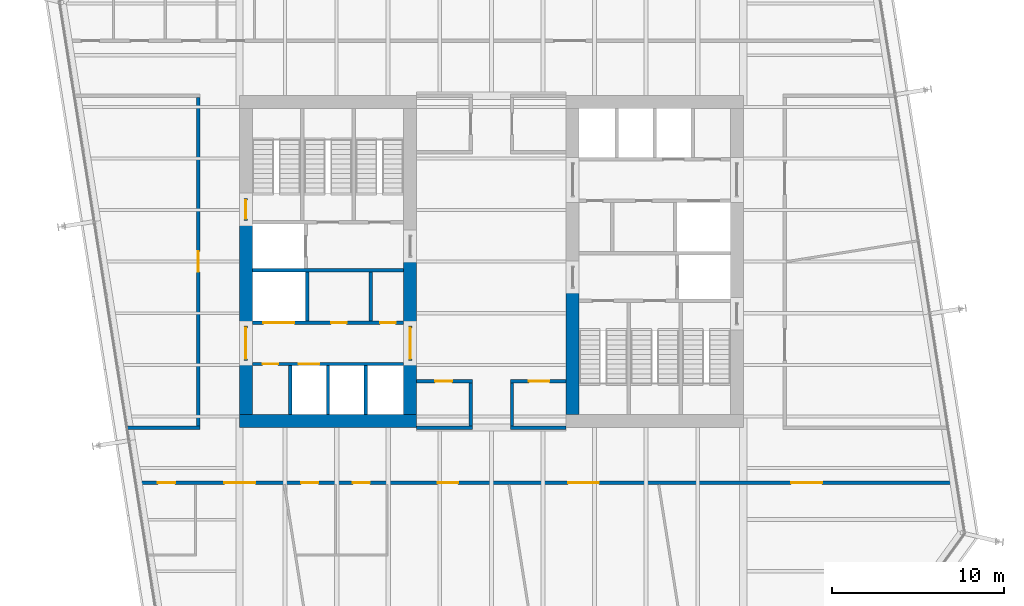
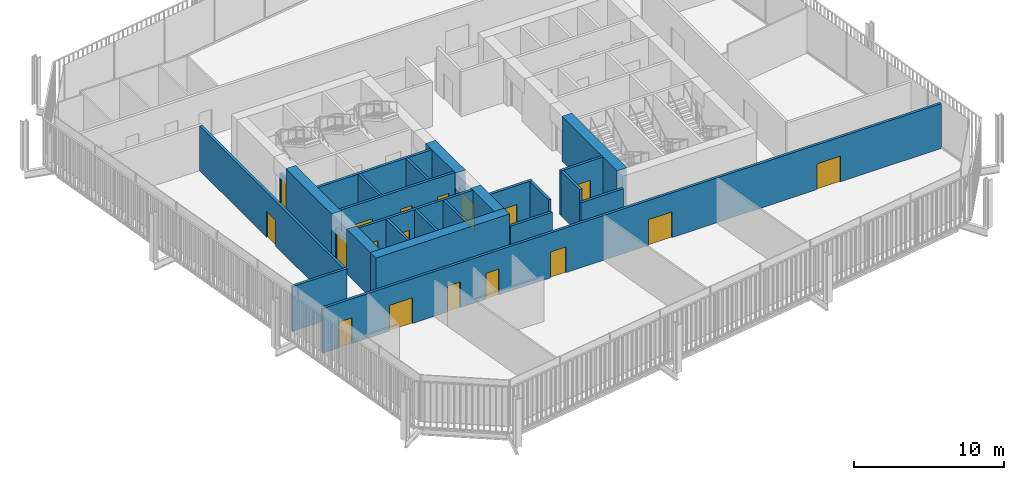
# One storey, part 17 of 21: 26 walls, 18 doors, 18 openings.
"""IFC4 building model written with IfcOpenShell, lengths in metres."""

import ifcopenshell
import ifcopenshell.guid

model = None  # the IFC model being written
_history = None  # IfcOwnerHistory: only IFC2X3 demands one
_inside = {}  # id of a spatial element -> (the spatial element, [elements in it])
_under = {}  # id of a project, library or spatial element -> (it, [spatial elements below it])
_declared = {}  # id of a project -> (the project, [libraries it declares])
_typed = {}  # id of a type object -> (the type object, [elements of that type])
_made_of = {}  # id of a material, layer set ... -> (it, [elements and type objects made of it])


def new_model(schema):
    """Start an empty IFC model of exactly this schema.

    Asked for "IFC4X3", IfcOpenShell would pick the latest addendum, in which some entities
    have other attributes; the version numbers below select the first issue.
    IFC2X3 requires an IfcOwnerHistory on every rooted entity: one is made here for all.
    """
    global model, _history
    if schema == "IFC4X3":
        model = ifcopenshell.file(schema_version=(4, 3, 0, 0))
    else:
        model = ifcopenshell.file(schema=schema)
    _inside.clear()
    _under.clear()
    _declared.clear()
    _typed.clear()
    _made_of.clear()
    _history = None
    if model.schema == "IFC2X3":
        org = make("IfcOrganization", Name="unknown")
        user = make(
            "IfcPersonAndOrganization",
            ThePerson=make("IfcPerson", FamilyName="unknown"),
            TheOrganization=org,
        )
        app = make(
            "IfcApplication",
            ApplicationDeveloper=org,
            Version="unknown",
            ApplicationFullName="unknown",
            ApplicationIdentifier="unknown",
        )
        _history = make(
            "IfcOwnerHistory",
            OwningUser=user,
            OwningApplication=app,
            ChangeAction="ADDED",
            CreationDate=0,
        )
    return model


def make(cls, **values):
    """One entity of the class cls with the attributes given. An attribute that is None is left unset."""
    return model.create_entity(
        cls, **{name: value for name, value in values.items() if value is not None}
    )


def rooted(cls, **values):
    """An entity with a GlobalId (a new one), such as an element, a storey or a relation."""
    return make(cls, GlobalId=ifcopenshell.guid.new(), OwnerHistory=_history, **values)


def si_unit(unit_type, name, prefix=None):
    """IfcSIUnit, for example si_unit("LENGTHUNIT", "METRE", prefix="MILLI")."""
    return make("IfcSIUnit", UnitType=unit_type, Prefix=prefix, Name=name)


def assignment(units):
    """IfcUnitAssignment: the units of a project."""
    return None if units is None else make("IfcUnitAssignment", Units=units)


def point(xyz):
    """IfcCartesianPoint."""
    return None if xyz is None else make("IfcCartesianPoint", Coordinates=xyz)


def direction(xyz):
    """IfcDirection."""
    return None if xyz is None else make("IfcDirection", DirectionRatios=xyz)


def frame(location, z_axis=None, x_axis=None):
    """IfcAxis2Placement3D, a coordinate frame: its origin and axes. An axis left out is left unset."""
    return make(
        "IfcAxis2Placement3D",
        Location=point(location),
        Axis=direction(z_axis),
        RefDirection=direction(x_axis),
    )


def frame_2d(location, x_axis=None):
    """IfcAxis2Placement2D, a coordinate frame in the plane: its origin and x axis."""
    return make(
        "IfcAxis2Placement2D", Location=point(location), RefDirection=direction(x_axis)
    )


def origin():
    """The frame at (0, 0, 0) with its axes left unset."""
    return frame((0.0, 0.0, 0.0))


def place(relative_to, where):
    """IfcLocalPlacement: puts the frame where relative to a parent placement (None: the world)."""
    return make(
        "IfcLocalPlacement", PlacementRelTo=relative_to, RelativePlacement=where
    )


def context(
    kind, dimensions, precision=None, world=None, true_north=None, identifier=None
):
    """IfcGeometricRepresentationContext, for example the 3D "Model" context."""
    return make(
        "IfcGeometricRepresentationContext",
        ContextIdentifier=identifier,
        ContextType=kind,
        CoordinateSpaceDimension=dimensions,
        Precision=precision,
        WorldCoordinateSystem=world,
        TrueNorth=true_north,
    )


def subcontext(parent, identifier, kind, view, scale=None):
    """IfcGeometricRepresentationSubContext, for example "Body" below "Model"."""
    return make(
        "IfcGeometricRepresentationSubContext",
        ContextIdentifier=identifier,
        ContextType=kind,
        ParentContext=parent,
        TargetScale=scale,
        TargetView=view,
    )


def project(units=None, contexts=None):
    """IfcProject with its units and contexts."""
    return rooted(
        "IfcProject",
        Name="project",
        RepresentationContexts=contexts,
        UnitsInContext=assignment(units),
    )


def spatial(cls, under=None, at=None, **own):
    """A site, building, storey or space (cls), placed at a placement, below another one or the project."""
    s = rooted(cls, ObjectPlacement=at, **own)
    if under is not None:
        _under.setdefault(under.id(), (under, []))[1].append(s)
    return s


def profile(cls, at=None, kind="AREA", **sizes):
    """A parametric profile (cls). Its sizes go by their IFC names, for example OverallWidth=200.0."""
    return make(cls, ProfileType=kind, Position=at, **sizes)


def rectangle(**sizes):
    """IfcRectangleProfileDef."""
    return profile("IfcRectangleProfileDef", **sizes)


def extrude(swept, where, along, depth):
    """IfcExtrudedAreaSolid: the profile swept, set in the frame where, extruded along a direction by depth."""
    return make(
        "IfcExtrudedAreaSolid",
        SweptArea=swept,
        Position=where,
        ExtrudedDirection=direction(along),
        Depth=depth,
    )


def shape(context_of_items, identifier, shape_type, items):
    """IfcShapeRepresentation: the items that make up one representation, for example the "Body"."""
    return make(
        "IfcShapeRepresentation",
        ContextOfItems=context_of_items,
        RepresentationIdentifier=identifier,
        RepresentationType=shape_type,
        Items=items,
    )


def material(Name=None, Category=None):
    """IfcMaterial."""
    return make("IfcMaterial", Name=Name, Category=Category)


def layer(
    of_material, thickness, ventilated=None, Name=None, Category=None, Priority=None
):
    """IfcMaterialLayer: one layer of a wall or slab, of a material (None: an air gap)."""
    return make(
        "IfcMaterialLayer",
        Material=of_material,
        LayerThickness=thickness,
        IsVentilated=ventilated,
        Name=Name,
        Category=Category,
        Priority=Priority,
    )


def layer_set(layers, Name=None):
    """IfcMaterialLayerSet."""
    return make("IfcMaterialLayerSet", MaterialLayers=layers, LayerSetName=Name)


def made_of(thing, what):
    """Note that an element or type object is made of a material, layer set ...; save() writes the relation."""
    if what is not None:
        _made_of.setdefault(what.id(), (what, []))[1].append(thing)
    return thing


def type_object(cls, material=None, **own):
    """A type object (cls), such as IfcWallType, which elements share."""
    return made_of(rooted(cls, **own), material)


def element(
    cls,
    number,
    at=None,
    inside=None,
    cuts=None,
    type_object=None,
    material=None,
    context=None,
    identifier="Body",
    shape_type=None,
    held_by="IfcProductDefinitionShape",
    body=None,
    shapes=None,
    **own,
):
    """One element of the class cls, such as IfcWall. Its Tag is "e" and its number.

    at: its placement. inside: the storey or other place that contains it. cuts: it is an
    opening in that element (IfcRelVoidsElement). A single representation is given by context,
    identifier, shape_type and body (its items); several are given by shapes. held_by: the class
    of the entity that holds the representations. save() writes the other relations.
    """
    e = rooted(cls, Tag="e%d" % number, ObjectPlacement=at, **own)
    if body is not None:
        shapes = [shape(context, identifier, shape_type, body)]
    if shapes is not None:
        e.Representation = make(held_by, Representations=shapes)
    if inside is not None:
        _inside.setdefault(inside.id(), (inside, []))[1].append(e)
    if cuts is not None:
        rooted(
            "IfcRelVoidsElement", RelatingBuildingElement=cuts, RelatedOpeningElement=e
        )
    if type_object is not None:
        _typed.setdefault(type_object.id(), (type_object, []))[1].append(e)
    return made_of(e, material)


def fill(opening, filler):
    """IfcRelFillsElement: the door or window that sits in an opening."""
    return rooted(
        "IfcRelFillsElement",
        RelatingOpeningElement=opening,
        RelatedBuildingElement=filler,
    )


def aggregate(whole, parts):
    """IfcRelAggregates: a whole, such as a stair, and the parts it consists of."""
    return rooted("IfcRelAggregates", RelatingObject=whole, RelatedObjects=parts)


def save(model, path):
    """Write the relations noted so far, then the file.

    IfcRelAggregates (storeys below a building ...), IfcRelContainedInSpatialStructure (elements
    in a storey), IfcRelDefinesByType, IfcRelAssociatesMaterial and IfcRelDeclares: one each for
    every whole, place, type object, material and project.
    """
    for whole, parts in _under.values():
        aggregate(whole, parts)
    for where, things in _inside.values():
        rooted(
            "IfcRelContainedInSpatialStructure",
            RelatedElements=things,
            RelatingStructure=where,
        )
    for kind, things in _typed.values():
        rooted("IfcRelDefinesByType", RelatedObjects=things, RelatingType=kind)
    for what, things in _made_of.values():
        rooted("IfcRelAssociatesMaterial", RelatedObjects=things, RelatingMaterial=what)
    for by, libraries in _declared.values():
        rooted("IfcRelDeclares", RelatingContext=by, RelatedDefinitions=libraries)
    model.write(path)


model = new_model("IFC4")

# Units and contexts
model_context = context("Model", 3, precision=1e-05, world=origin(), true_north=direction((0.0, 1.0)))
body_context = subcontext(model_context, "Body", "Model", "MODEL_VIEW")
ifc_project = project(units=[si_unit("LENGTHUNIT", "METRE"), si_unit("AREAUNIT", "SQUARE_METRE"), si_unit("VOLUMEUNIT", "CUBIC_METRE"), si_unit("PLANEANGLEUNIT", "RADIAN"), si_unit("MASSUNIT", "GRAM", prefix="KILO")], contexts=[model_context])

# Site, building, storey
site_placement = place(None, origin())
site = spatial("IfcSite", under=ifc_project, at=site_placement, CompositionType="ELEMENT")
building_placement = place(site_placement, origin())
building = spatial("IfcBuilding", under=site, at=building_placement, Name="Millrace Tower", CompositionType="ELEMENT")
storey_placement = place(building_placement, frame((0.0, 0.0, 191.699951171875)))
storey = spatial("IfcBuildingStorey", under=building, at=storey_placement, Name="L43", CompositionType="ELEMENT", Elevation=191.699951171875)

# Walls
ifc_material_1 = material(Name="Concrete C70", Category="concrete")
ifc_layer_1 = layer(ifc_material_1, 0.75)
ifc_layer_set_1 = layer_set([ifc_layer_1], Name="Concrete C70")
wall_type_1 = type_object("IfcWallType", Name="Core wall 750 Concrete C70", PredefinedType="SHEAR", material=ifc_layer_set_1)
wall_1_placement = place(storey_placement, frame((-14.64990234375, -9.27490234375, 0.0), z_axis=(0.0, 0.0, 1.0), x_axis=(1.0, 0.0, 0.0)))
element("IfcWall", 1, at=wall_1_placement, inside=storey, type_object=wall_type_1, Name="Core wall W L43", PredefinedType="SHEAR", context=body_context, shape_type="SweptSolid", body=[
    extrude(rectangle(XDim=10.2998046875, YDim=0.75, at=frame_2d((5.14990234375, 0.0))), origin(), (0.0, 0.0, 1.0), 3.650146484375),
])
wall_2_placement = place(storey_placement, frame((-14.27490234375, -8.89990234375, 0.0), z_axis=(0.0, 0.0, 1.0), x_axis=(0.0, 1.0, 0.0)))
element("IfcWall", 2, at=wall_2_placement, inside=storey, type_object=wall_type_1, Name="Core wall W L43", PredefinedType="SHEAR", context=body_context, shape_type="SweptSolid", body=[
    extrude(rectangle(XDim=3.14990234375, YDim=0.75, at=frame_2d((1.574951171875, 0.0))), origin(), (0.0, 0.0, 1.0), 3.650146484375),
])
wall_3_placement = place(storey_placement, frame((-14.27490234375, -3.75, 0.0), z_axis=(0.0, 0.0, 1.0), x_axis=(0.0, 1.0, 0.0)))
element("IfcWall", 3, at=wall_3_placement, inside=storey, type_object=wall_type_1, Name="Core wall W L43", PredefinedType="SHEAR", context=body_context, shape_type="SweptSolid", body=[
    extrude(rectangle(XDim=6.1298828125, YDim=0.75, at=frame_2d((3.06494140625, 0.0))), origin(), (0.0, 0.0, 1.0), 3.650146484375),
])
wall_4_placement = place(storey_placement, frame((-4.72509765625, -8.89990234375, 0.0), z_axis=(0.0, 0.0, 1.0), x_axis=(0.0, 1.0, 0.0)))
element("IfcWall", 4, at=wall_4_placement, inside=storey, type_object=wall_type_1, Name="Core wall W L43", PredefinedType="SHEAR", context=body_context, shape_type="SweptSolid", body=[
    extrude(rectangle(XDim=3.14990234375, YDim=0.75, at=frame_2d((1.574951171875, 0.0))), origin(), (0.0, 0.0, 1.0), 3.650146484375),
])
wall_5_placement = place(storey_placement, frame((-4.72509765625, -3.75, 0.0), z_axis=(0.0, 0.0, 1.0), x_axis=(0.0, 1.0, 0.0)))
element("IfcWall", 5, at=wall_5_placement, inside=storey, type_object=wall_type_1, Name="Core wall W L43", PredefinedType="SHEAR", context=body_context, shape_type="SweptSolid", body=[
    extrude(rectangle(XDim=4.0, YDim=0.75, at=frame_2d((2.0, 0.0))), origin(), (0.0, 0.0, 1.0), 3.650146484375),
])
wall_6_placement = place(storey_placement, frame((4.72509765625, -1.550048828125, 0.0), z_axis=(0.0, 0.0, 1.0), x_axis=(0.0, -1.0, 0.0)))
element("IfcWall", 6, at=wall_6_placement, inside=storey, type_object=wall_type_1, Name="Core wall E L43", PredefinedType="SHEAR", context=body_context, shape_type="SweptSolid", body=[
    extrude(rectangle(XDim=7.349853515625, YDim=0.75, at=frame_2d((3.6748046875, 0.0))), origin(), (0.0, 0.0, 1.0), 3.650146484375),
])

# Wall, openings, doors
ifc_material_2 = material(Name="Masonry partition, fire-rated", Category="masonry")
ifc_layer_2 = layer(ifc_material_2, 0.199951171875)
ifc_layer_set_2 = layer_set([ifc_layer_2], Name="Masonry partition, fire-rated")
wall_type_2 = type_object("IfcWallType", Name="Corridor wall 200", PredefinedType="PARTITIONING", material=ifc_layer_set_2)
wall_7_placement = place(storey_placement, frame((-20.6435546875, -12.85009765625, 0.0), z_axis=(0.0, 0.0, 1.0), x_axis=(1.0, 0.0, 0.0)))
wall_7 = element("IfcWall", 7, at=wall_7_placement, inside=storey, type_object=wall_type_2, Name="Corridor wall L43", PredefinedType="PARTITIONING", context=body_context, shape_type="SweptSolid", body=[
    extrude(rectangle(XDim=47.646728515625, YDim=0.199951171875, at=frame_2d((23.8232421875, 0.0))), origin(), (0.0, 0.0, 1.0), 3.650146484375),
])
opening_1_placement = place(wall_7_placement, frame((5.117919921875, 0.0, 0.0)))
opening_1 = element("IfcOpeningElement", 8, at=opening_1_placement, cuts=wall_7, Name="Opening 43-P009", PredefinedType="OPENING", context=body_context, shape_type="SweptSolid", body=[
    extrude(rectangle(XDim=1.800048828125, YDim=2.10009765625, at=frame_2d((0.89990234375, 1.050048828125))), frame((0.0, 0.10986328125, 0.0), z_axis=(0.0, -1.0, 0.0), x_axis=(1.0, 0.0, 0.0)), (0.0, 0.0, 1.0), 0.219970703125),
])
opening_2_placement = place(wall_7_placement, frame((1.25048828125, 0.0, 0.0)))
opening_2 = element("IfcOpeningElement", 9, at=opening_2_placement, cuts=wall_7, Name="Opening 43-P010", PredefinedType="OPENING", context=body_context, shape_type="SweptSolid", body=[
    extrude(rectangle(XDim=1.0, YDim=2.10009765625, at=frame_2d((0.5, 1.050048828125))), frame((0.0, 0.10986328125, 0.0), z_axis=(0.0, -1.0, 0.0), x_axis=(1.0, 0.0, 0.0)), (0.0, 0.0, 1.0), 0.219970703125),
])
opening_3_placement = place(wall_7_placement, frame((17.51611328125, 0.0, 0.0)))
opening_3 = element("IfcOpeningElement", 10, at=opening_3_placement, cuts=wall_7, Name="Opening 43-P011", PredefinedType="OPENING", context=body_context, shape_type="SweptSolid", body=[
    extrude(rectangle(XDim=1.199951171875, YDim=2.10009765625, at=frame_2d((0.60009765625, 1.050048828125))), frame((0.0, 0.10986328125, 0.0), z_axis=(0.0, -1.0, 0.0), x_axis=(1.0, 0.0, 0.0)), (0.0, 0.0, 1.0), 0.219970703125),
])
opening_4_placement = place(wall_7_placement, frame((9.58544921875, 0.0, 0.0)))
opening_4 = element("IfcOpeningElement", 11, at=opening_4_placement, cuts=wall_7, Name="Opening 43-P012", PredefinedType="OPENING", context=body_context, shape_type="SweptSolid", body=[
    extrude(rectangle(XDim=1.0, YDim=2.10009765625, at=frame_2d((0.5, 1.050048828125))), frame((0.0, 0.10986328125, 0.0), z_axis=(0.0, -1.0, 0.0), x_axis=(1.0, 0.0, 0.0)), (0.0, 0.0, 1.0), 0.219970703125),
])
opening_5_placement = place(wall_7_placement, frame((12.58544921875, 0.0, 0.0)))
opening_5 = element("IfcOpeningElement", 12, at=opening_5_placement, cuts=wall_7, Name="Opening 43-P013", PredefinedType="OPENING", context=body_context, shape_type="SweptSolid", body=[
    extrude(rectangle(XDim=1.0, YDim=2.10009765625, at=frame_2d((0.5, 1.050048828125))), frame((0.0, 0.10986328125, 0.0), z_axis=(0.0, -1.0, 0.0), x_axis=(1.0, 0.0, 0.0)), (0.0, 0.0, 1.0), 0.219970703125),
])
opening_6_placement = place(wall_7_placement, frame((25.10009765625, 0.0, 0.0)))
opening_6 = element("IfcOpeningElement", 13, at=opening_6_placement, cuts=wall_7, Name="Opening 43-P014", PredefinedType="OPENING", context=body_context, shape_type="SweptSolid", body=[
    extrude(rectangle(XDim=1.800048828125, YDim=2.10009765625, at=frame_2d((0.89990234375, 1.050048828125))), frame((0.0, 0.10986328125, 0.0), z_axis=(0.0, -1.0, 0.0), x_axis=(1.0, 0.0, 0.0)), (0.0, 0.0, 1.0), 0.219970703125),
])
opening_7_placement = place(wall_7_placement, frame((38.074462890625, 0.0, 0.0)))
opening_7 = element("IfcOpeningElement", 14, at=opening_7_placement, cuts=wall_7, Name="Opening 43-P015", PredefinedType="OPENING", context=body_context, shape_type="SweptSolid", body=[
    extrude(rectangle(XDim=1.800048828125, YDim=2.10009765625, at=frame_2d((0.89990234375, 1.050048828125))), frame((0.0, 0.10986328125, 0.0), z_axis=(0.0, -1.0, 0.0), x_axis=(1.0, 0.0, 0.0)), (0.0, 0.0, 1.0), 0.219970703125),
])
ifc_material_3 = material(Name="Steel door set, fire-rated", Category="steel")
door_type_1 = type_object("IfcDoorType", Name="Corridor door 1000 x 2100", OperationType="SINGLE_SWING_LEFT", PredefinedType="DOOR", material=ifc_material_3)
door_1_placement = place(opening_2_placement, frame((1.0, 0.0, 0.0), z_axis=(0.0, 0.0, 1.0), x_axis=(-1.0, 0.0, 0.0)))
door_1 = element("IfcDoor", 15, at=door_1_placement, inside=storey, type_object=door_type_1, Name="Door 43-P010", OperationType="SINGLE_SWING_RIGHT", OverallHeight=2.10009765625, OverallWidth=1.0, PredefinedType="DOOR", context=body_context, shape_type="SweptSolid", body=[
    extrude(rectangle(XDim=1.0, YDim=2.10009765625, at=frame_2d((0.5, 1.050048828125))), frame((0.0, 0.02490234375, 0.0), z_axis=(0.0, -1.0, 0.0), x_axis=(1.0, 0.0, 0.0)), (0.0, 0.0, 1.0), 0.050048828125),
])
fill(opening_2, door_1)
door_2_placement = place(opening_4_placement, frame((1.0, 0.0, 0.0), z_axis=(0.0, 0.0, 1.0), x_axis=(-1.0, 0.0, 0.0)))
door_2 = element("IfcDoor", 16, at=door_2_placement, inside=storey, type_object=door_type_1, Name="Door 43-P012", OperationType="SINGLE_SWING_RIGHT", OverallHeight=2.10009765625, OverallWidth=1.0, PredefinedType="DOOR", context=body_context, shape_type="SweptSolid", body=[
    extrude(rectangle(XDim=1.0, YDim=2.10009765625, at=frame_2d((0.5, 1.050048828125))), frame((0.0, 0.02490234375, 0.0), z_axis=(0.0, -1.0, 0.0), x_axis=(1.0, 0.0, 0.0)), (0.0, 0.0, 1.0), 0.050048828125),
])
fill(opening_4, door_2)
door_3_placement = place(opening_5_placement, frame((1.0, 0.0, 0.0), z_axis=(0.0, 0.0, 1.0), x_axis=(-1.0, 0.0, 0.0)))
door_3 = element("IfcDoor", 17, at=door_3_placement, inside=storey, type_object=door_type_1, Name="Door 43-P013", OperationType="SINGLE_SWING_RIGHT", OverallHeight=2.10009765625, OverallWidth=1.0, PredefinedType="DOOR", context=body_context, shape_type="SweptSolid", body=[
    extrude(rectangle(XDim=1.0, YDim=2.10009765625, at=frame_2d((0.5, 1.050048828125))), frame((0.0, 0.02490234375, 0.0), z_axis=(0.0, -1.0, 0.0), x_axis=(1.0, 0.0, 0.0)), (0.0, 0.0, 1.0), 0.050048828125),
])
fill(opening_5, door_3)
ifc_material_4 = material(Name="Steel door set, fire-rated", Category="steel")
door_type_2 = type_object("IfcDoorType", Name="Corridor door 1200 x 2100", OperationType="SINGLE_SWING_LEFT", PredefinedType="DOOR", material=ifc_material_4)
door_4_placement = place(opening_3_placement, frame((1.199951171875, 0.0, 0.0), z_axis=(0.0, 0.0, 1.0), x_axis=(-1.0, 0.0, 0.0)))
door_4 = element("IfcDoor", 18, at=door_4_placement, inside=storey, type_object=door_type_2, Name="Door 43-P011", OperationType="SINGLE_SWING_RIGHT", OverallHeight=2.10009765625, OverallWidth=1.199951171875, PredefinedType="DOOR", context=body_context, shape_type="SweptSolid", body=[
    extrude(rectangle(XDim=1.199951171875, YDim=2.10009765625, at=frame_2d((0.60009765625, 1.050048828125))), frame((0.0, 0.02490234375, 0.0), z_axis=(0.0, -1.0, 0.0), x_axis=(1.0, 0.0, 0.0)), (0.0, 0.0, 1.0), 0.050048828125),
])
fill(opening_3, door_4)
ifc_material_5 = material(Name="Steel door set, fire-rated", Category="steel")
door_type_3 = type_object("IfcDoorType", Name="Corridor door 1800 x 2100", OperationType="DOUBLE_DOOR_SINGLE_SWING", PredefinedType="DOOR", material=ifc_material_5)
door_5_placement = place(opening_1_placement, frame((1.800048828125, 0.0, 0.0), z_axis=(0.0, 0.0, 1.0), x_axis=(-1.0, 0.0, 0.0)))
door_5 = element("IfcDoor", 19, at=door_5_placement, inside=storey, type_object=door_type_3, Name="Door 43-P009", OperationType="DOUBLE_DOOR_SINGLE_SWING", OverallHeight=2.10009765625, OverallWidth=1.800048828125, PredefinedType="DOOR", context=body_context, shape_type="SweptSolid", body=[
    extrude(rectangle(XDim=1.800048828125, YDim=2.10009765625, at=frame_2d((0.89990234375, 1.050048828125))), frame((0.0, 0.02490234375, 0.0), z_axis=(0.0, -1.0, 0.0), x_axis=(1.0, 0.0, 0.0)), (0.0, 0.0, 1.0), 0.050048828125),
])
fill(opening_1, door_5)
door_6_placement = place(opening_6_placement, frame((1.800048828125, 0.0, 0.0), z_axis=(0.0, 0.0, 1.0), x_axis=(-1.0, 0.0, 0.0)))
door_6 = element("IfcDoor", 20, at=door_6_placement, inside=storey, type_object=door_type_3, Name="Door 43-P014", OperationType="DOUBLE_DOOR_SINGLE_SWING", OverallHeight=2.10009765625, OverallWidth=1.800048828125, PredefinedType="DOOR", context=body_context, shape_type="SweptSolid", body=[
    extrude(rectangle(XDim=1.800048828125, YDim=2.10009765625, at=frame_2d((0.89990234375, 1.050048828125))), frame((0.0, 0.02490234375, 0.0), z_axis=(0.0, -1.0, 0.0), x_axis=(1.0, 0.0, 0.0)), (0.0, 0.0, 1.0), 0.050048828125),
])
fill(opening_6, door_6)
door_7_placement = place(opening_7_placement, frame((1.800048828125, 0.0, 0.0), z_axis=(0.0, 0.0, 1.0), x_axis=(-1.0, 0.0, 0.0)))
door_7 = element("IfcDoor", 21, at=door_7_placement, inside=storey, type_object=door_type_3, Name="Door 43-P015", OperationType="DOUBLE_DOOR_SINGLE_SWING", OverallHeight=2.10009765625, OverallWidth=1.800048828125, PredefinedType="DOOR", context=body_context, shape_type="SweptSolid", body=[
    extrude(rectangle(XDim=1.800048828125, YDim=2.10009765625, at=frame_2d((0.89990234375, 1.050048828125))), frame((0.0, 0.02490234375, 0.0), z_axis=(0.0, -1.0, 0.0), x_axis=(1.0, 0.0, 0.0)), (0.0, 0.0, 1.0), 0.050048828125),
])
fill(opening_7, door_7)

# Walls
wall_8_placement = place(storey_placement, frame((-21.150390625, -9.64990234375, 0.0), z_axis=(0.0, 0.0, 1.0), x_axis=(1.0, 0.0, 0.0)))
element("IfcWall", 22, at=wall_8_placement, inside=storey, type_object=wall_type_2, Name="Corridor wall L43", PredefinedType="PARTITIONING", context=body_context, shape_type="SweptSolid", body=[
    extrude(rectangle(XDim=4.200439453125, YDim=0.199951171875, at=frame_2d((2.10009765625, 0.0))), origin(), (0.0, 0.0, 1.0), 3.650146484375),
])
for number, where, z_axis, x_axis, name in (
    (23, (-4.35009765625, -9.64990234375, 0.0), (0.0, 0.0, 1.0), (1.0, 0.0, 0.0), "Corridor wall L43"),
    (24, (1.10009765625, -9.64990234375, 0.0), (0.0, 0.0, 1.0), (1.0, 0.0, 0.0), "Corridor wall L43"),
):
    element("IfcWall", number, at=place(storey_placement, frame(where, z_axis=z_axis, x_axis=x_axis)), inside=storey, type_object=wall_type_2, Name=name, PredefinedType="PARTITIONING", context=body_context, shape_type="SweptSolid", body=[
        extrude(rectangle(XDim=3.25, YDim=0.199951171875, at=frame_2d((1.625, 0.0))), origin(), (0.0, 0.0, 1.0), 2.70263671875),
    ])

# Wall, opening, door
wall_9_placement = place(storey_placement, frame((-4.35009765625, -6.949951171875, 0.0), z_axis=(0.0, 0.0, 1.0), x_axis=(1.0, 0.0, 0.0)))
wall_9 = element("IfcWall", 25, at=wall_9_placement, inside=storey, type_object=wall_type_2, Name="Corridor wall L43", PredefinedType="PARTITIONING", context=body_context, shape_type="SweptSolid", body=[
    extrude(rectangle(XDim=3.25, YDim=0.199951171875, at=frame_2d((1.625, 0.0))), origin(), (0.0, 0.0, 1.0), 3.650146484375),
])
opening_8_placement = place(wall_9_placement, frame((1.074951171875, 0.0, 0.0)))
opening_8 = element("IfcOpeningElement", 26, at=opening_8_placement, cuts=wall_9, Name="Opening 43-P003", PredefinedType="OPENING", context=body_context, shape_type="SweptSolid", body=[
    extrude(rectangle(XDim=1.0, YDim=2.10009765625, at=frame_2d((0.5, 1.050048828125))), frame((0.0, 0.10986328125, 0.0), z_axis=(0.0, -1.0, 0.0), x_axis=(1.0, 0.0, 0.0)), (0.0, 0.0, 1.0), 0.219970703125),
])
door_8_placement = place(opening_8_placement, frame((1.0, 0.0, 0.0), z_axis=(0.0, 0.0, 1.0), x_axis=(-1.0, 0.0, 0.0)))
door_8 = element("IfcDoor", 27, at=door_8_placement, inside=storey, type_object=door_type_1, Name="Door 43-P003", OperationType="SINGLE_SWING_RIGHT", OverallHeight=2.10009765625, OverallWidth=1.0, PredefinedType="DOOR", context=body_context, shape_type="SweptSolid", body=[
    extrude(rectangle(XDim=1.0, YDim=2.10009765625, at=frame_2d((0.5, 1.050048828125))), frame((0.0, 0.02490234375, 0.0), z_axis=(0.0, -1.0, 0.0), x_axis=(1.0, 0.0, 0.0)), (0.0, 0.0, 1.0), 0.050048828125),
])
fill(opening_8, door_8)

wall_10_placement = place(storey_placement, frame((1.10009765625, -6.949951171875, 0.0), z_axis=(0.0, 0.0, 1.0), x_axis=(1.0, 0.0, 0.0)))
wall_10 = element("IfcWall", 28, at=wall_10_placement, inside=storey, type_object=wall_type_2, Name="Corridor wall L43", PredefinedType="PARTITIONING", context=body_context, shape_type="SweptSolid", body=[
    extrude(rectangle(XDim=3.25, YDim=0.199951171875, at=frame_2d((1.625, 0.0))), origin(), (0.0, 0.0, 1.0), 3.650146484375),
])
opening_9_placement = place(wall_10_placement, frame((1.074951171875, 0.0, 0.0)))
opening_9 = element("IfcOpeningElement", 29, at=opening_9_placement, cuts=wall_10, Name="Opening 43-P004", PredefinedType="OPENING", context=body_context, shape_type="SweptSolid", body=[
    extrude(rectangle(XDim=1.199951171875, YDim=2.10009765625, at=frame_2d((0.60009765625, 1.050048828125))), frame((0.0, 0.10986328125, 0.0), z_axis=(0.0, -1.0, 0.0), x_axis=(1.0, 0.0, 0.0)), (0.0, 0.0, 1.0), 0.219970703125),
])
door_9_placement = place(opening_9_placement, frame((1.199951171875, 0.0, 0.0), z_axis=(0.0, 0.0, 1.0), x_axis=(-1.0, 0.0, 0.0)))
door_9 = element("IfcDoor", 30, at=door_9_placement, inside=storey, type_object=door_type_2, Name="Door 43-P004", OperationType="SINGLE_SWING_RIGHT", OverallHeight=2.10009765625, OverallWidth=1.199951171875, PredefinedType="DOOR", context=body_context, shape_type="SweptSolid", body=[
    extrude(rectangle(XDim=1.199951171875, YDim=2.10009765625, at=frame_2d((0.60009765625, 1.050048828125))), frame((0.0, 0.02490234375, 0.0), z_axis=(0.0, -1.0, 0.0), x_axis=(1.0, 0.0, 0.0)), (0.0, 0.0, 1.0), 0.050048828125),
])
fill(opening_9, door_9)

# Walls
for number, where, z_axis, x_axis, name in (
    (31, (1.199951171875, -9.550048828125, 0.0), (0.0, 0.0, 1.0), (0.0, 1.0, 0.0), "Corridor wall L43"),
    (32, (-1.199951171875, -9.550048828125, 0.0), (0.0, 0.0, 1.0), (0.0, 1.0, 0.0), "Corridor wall L43"),
):
    element("IfcWall", number, at=place(storey_placement, frame(where, z_axis=z_axis, x_axis=x_axis)), inside=storey, type_object=wall_type_2, Name=name, PredefinedType="PARTITIONING", context=body_context, shape_type="SweptSolid", body=[
        extrude(rectangle(XDim=2.5, YDim=0.199951171875, at=frame_2d((1.25, 0.0))), origin(), (0.0, 0.0, 1.0), 3.650146484375),
    ])

# Wall, opening, door
wall_11_placement = place(storey_placement, frame((-17.050048828125, -9.550048828125, 0.0), z_axis=(0.0, 0.0, 1.0), x_axis=(0.0, 1.0, 0.0)))
wall_11 = element("IfcWall", 33, at=wall_11_placement, inside=storey, type_object=wall_type_2, Name="Corridor wall L43", PredefinedType="PARTITIONING", context=body_context, shape_type="SweptSolid", body=[
    extrude(rectangle(XDim=19.10009765625, YDim=0.199951171875, at=frame_2d((9.550048828125, 0.0))), origin(), (0.0, 0.0, 1.0), 3.650146484375),
])
opening_10_placement = place(wall_11_placement, frame((8.949951171875, 0.0, 0.0)))
opening_10 = element("IfcOpeningElement", 34, at=opening_10_placement, cuts=wall_11, Name="Opening 43-P016", PredefinedType="OPENING", context=body_context, shape_type="SweptSolid", body=[
    extrude(rectangle(XDim=1.199951171875, YDim=2.10009765625, at=frame_2d((0.60009765625, 1.050048828125))), frame((0.0, 0.10986328125, 0.0), z_axis=(0.0, -1.0, 0.0), x_axis=(1.0, 0.0, 0.0)), (0.0, 0.0, 1.0), 0.219970703125),
])
door_10_placement = place(opening_10_placement, origin())
door_10 = element("IfcDoor", 35, at=door_10_placement, inside=storey, type_object=door_type_2, Name="Door 43-P016", OperationType="SINGLE_SWING_RIGHT", OverallHeight=2.10009765625, OverallWidth=1.199951171875, PredefinedType="DOOR", context=body_context, shape_type="SweptSolid", body=[
    extrude(rectangle(XDim=1.199951171875, YDim=2.10009765625, at=frame_2d((0.60009765625, 1.050048828125))), frame((0.0, 0.02490234375, 0.0), z_axis=(0.0, -1.0, 0.0), x_axis=(1.0, 0.0, 0.0)), (0.0, 0.0, 1.0), 0.050048828125),
])
fill(opening_10, door_10)

# Wall, openings, doors
ifc_material_6 = material(Name="Masonry partition, fire-rated", Category="masonry")
ifc_layer_3 = layer(ifc_material_6, 0.199951171875)
ifc_layer_set_3 = layer_set([ifc_layer_3], Name="Masonry partition, fire-rated")
wall_type_3 = type_object("IfcWallType", Name="Lift shaft wall 200", PredefinedType="PARTITIONING", material=ifc_layer_set_3)
wall_12_placement = place(storey_placement, frame((-13.89990234375, -5.949951171875, 0.0), z_axis=(0.0, 0.0, 1.0), x_axis=(1.0, 0.0, 0.0)))
wall_12 = element("IfcWall", 36, at=wall_12_placement, inside=storey, type_object=wall_type_3, Name="Lift shaft wall W L43", PredefinedType="PARTITIONING", context=body_context, shape_type="SweptSolid", body=[
    extrude(rectangle(XDim=8.7998046875, YDim=0.199951171875, at=frame_2d((4.39990234375, 0.0))), origin(), (0.0, 0.0, 1.0), 3.650146484375),
])
opening_11_placement = place(wall_12_placement, frame((2.699951171875, 0.0, 0.0)))
opening_11 = element("IfcOpeningElement", 37, at=opening_11_placement, cuts=wall_12, Name="Opening 43-LD02", PredefinedType="OPENING", context=body_context, shape_type="SweptSolid", body=[
    extrude(rectangle(XDim=1.199951171875, YDim=2.10009765625, at=frame_2d((0.60009765625, 1.050048828125))), frame((0.0, 0.10986328125, 0.0), z_axis=(0.0, -1.0, 0.0), x_axis=(1.0, 0.0, 0.0)), (0.0, 0.0, 1.0), 0.219970703125),
])
opening_12_placement = place(wall_12_placement, frame((0.60009765625, 0.0, 0.0)))
opening_12 = element("IfcOpeningElement", 38, at=opening_12_placement, cuts=wall_12, Name="Opening 43-C005", PredefinedType="OPENING", context=body_context, shape_type="SweptSolid", body=[
    extrude(rectangle(XDim=0.89990234375, YDim=2.10009765625, at=frame_2d((0.449951171875, 1.050048828125))), frame((0.0, 0.10986328125, 0.0), z_axis=(0.0, -1.0, 0.0), x_axis=(1.0, 0.0, 0.0)), (0.0, 0.0, 1.0), 0.219970703125),
])
ifc_material_7 = material(Name="Stainless steel, fire-rated", Category="steel")
door_type_4 = type_object("IfcDoorType", Name="Lift landing door 1200 x 2100", OperationType="DOUBLE_DOOR_SLIDING", PredefinedType="DOOR", material=ifc_material_7)
door_11_placement = place(opening_11_placement, origin())
door_11 = element("IfcDoor", 39, at=door_11_placement, inside=storey, type_object=door_type_4, Name="Lift landing door LF2 L43", OperationType="DOUBLE_DOOR_SLIDING", OverallHeight=2.10009765625, OverallWidth=1.199951171875, PredefinedType="DOOR", context=body_context, shape_type="SweptSolid", body=[
    extrude(rectangle(XDim=1.199951171875, YDim=2.10009765625, at=frame_2d((0.60009765625, 1.050048828125))), frame((0.0, 0.02490234375, 0.0), z_axis=(0.0, -1.0, 0.0), x_axis=(1.0, 0.0, 0.0)), (0.0, 0.0, 1.0), 0.050048828125),
])
fill(opening_11, door_11)
ifc_material_8 = material(Name="Steel door, fire-rated", Category="steel")
door_type_5 = type_object("IfcDoorType", Name="Service room door 900 x 2100", OperationType="SINGLE_SWING_LEFT", PredefinedType="DOOR", material=ifc_material_8)
door_12_placement = place(opening_12_placement, frame((0.89990234375, 0.0, 0.0), z_axis=(0.0, 0.0, 1.0), x_axis=(-1.0, 0.0, 0.0)))
door_12 = element("IfcDoor", 40, at=door_12_placement, inside=storey, type_object=door_type_5, Name="Service room door 43-C005", OperationType="SINGLE_SWING_RIGHT", OverallHeight=2.10009765625, OverallWidth=0.89990234375, PredefinedType="DOOR", context=body_context, shape_type="SweptSolid", body=[
    extrude(rectangle(XDim=0.89990234375, YDim=2.10009765625, at=frame_2d((0.449951171875, 1.050048828125))), frame((0.0, 0.02490234375, 0.0), z_axis=(0.0, -1.0, 0.0), x_axis=(1.0, 0.0, 0.0)), (0.0, 0.0, 1.0), 0.050048828125),
])
fill(opening_12, door_12)

wall_13_placement = place(storey_placement, frame((-13.89990234375, -3.550048828125, 0.0), z_axis=(0.0, 0.0, 1.0), x_axis=(1.0, 0.0, 0.0)))
wall_13 = element("IfcWall", 41, at=wall_13_placement, inside=storey, type_object=wall_type_3, Name="Lift shaft wall W L43", PredefinedType="PARTITIONING", context=body_context, shape_type="SweptSolid", body=[
    extrude(rectangle(XDim=8.7998046875, YDim=0.199951171875, at=frame_2d((4.39990234375, 0.0))), origin(), (0.0, 0.0, 1.0), 3.650146484375),
])
opening_13_placement = place(wall_13_placement, frame((0.64990234375, 0.0, 0.0)))
opening_13 = element("IfcOpeningElement", 42, at=opening_13_placement, cuts=wall_13, Name="Opening 43-LD05", PredefinedType="OPENING", context=body_context, shape_type="SweptSolid", body=[
    extrude(rectangle(XDim=1.800048828125, YDim=2.10009765625, at=frame_2d((0.89990234375, 1.050048828125))), frame((0.0, 0.10986328125, 0.0), z_axis=(0.0, -1.0, 0.0), x_axis=(1.0, 0.0, 0.0)), (0.0, 0.0, 1.0), 0.219970703125),
])
opening_14_placement = place(wall_13_placement, frame((4.58740234375, 0.0, 0.0)))
opening_14 = element("IfcOpeningElement", 43, at=opening_14_placement, cuts=wall_13, Name="Opening 43-C006", PredefinedType="OPENING", context=body_context, shape_type="SweptSolid", body=[
    extrude(rectangle(XDim=0.89990234375, YDim=2.10009765625, at=frame_2d((0.449951171875, 1.050048828125))), frame((0.0, 0.10986328125, 0.0), z_axis=(0.0, -1.0, 0.0), x_axis=(1.0, 0.0, 0.0)), (0.0, 0.0, 1.0), 0.219970703125),
])
opening_15_placement = place(wall_13_placement, frame((7.4375, 0.0, 0.0)))
opening_15 = element("IfcOpeningElement", 44, at=opening_15_placement, cuts=wall_13, Name="Opening 43-C007", PredefinedType="OPENING", context=body_context, shape_type="SweptSolid", body=[
    extrude(rectangle(XDim=0.89990234375, YDim=2.10009765625, at=frame_2d((0.449951171875, 1.050048828125))), frame((0.0, 0.10986328125, 0.0), z_axis=(0.0, -1.0, 0.0), x_axis=(1.0, 0.0, 0.0)), (0.0, 0.0, 1.0), 0.219970703125),
])
ifc_material_9 = material(Name="Stainless steel, fire-rated", Category="steel")
door_type_6 = type_object("IfcDoorType", Name="Lift landing door 1800 x 2100", OperationType="DOUBLE_DOOR_SLIDING", PredefinedType="DOOR", material=ifc_material_9)
door_13_placement = place(opening_13_placement, origin())
door_13 = element("IfcDoor", 45, at=door_13_placement, inside=storey, type_object=door_type_6, Name="Lift landing door LF5 L43", OperationType="DOUBLE_DOOR_SLIDING", OverallHeight=2.10009765625, OverallWidth=1.800048828125, PredefinedType="DOOR", context=body_context, shape_type="SweptSolid", body=[
    extrude(rectangle(XDim=1.800048828125, YDim=2.10009765625, at=frame_2d((0.89990234375, 1.050048828125))), frame((0.0, 0.02490234375, 0.0), z_axis=(0.0, -1.0, 0.0), x_axis=(1.0, 0.0, 0.0)), (0.0, 0.0, 1.0), 0.050048828125),
])
fill(opening_13, door_13)
door_14_placement = place(opening_14_placement, origin())
door_14 = element("IfcDoor", 46, at=door_14_placement, inside=storey, type_object=door_type_5, Name="Service room door 43-C006", OperationType="SINGLE_SWING_RIGHT", OverallHeight=2.10009765625, OverallWidth=0.89990234375, PredefinedType="DOOR", context=body_context, shape_type="SweptSolid", body=[
    extrude(rectangle(XDim=0.89990234375, YDim=2.10009765625, at=frame_2d((0.449951171875, 1.050048828125))), frame((0.0, 0.02490234375, 0.0), z_axis=(0.0, -1.0, 0.0), x_axis=(1.0, 0.0, 0.0)), (0.0, 0.0, 1.0), 0.050048828125),
])
fill(opening_14, door_14)
door_15_placement = place(opening_15_placement, origin())
door_15 = element("IfcDoor", 47, at=door_15_placement, inside=storey, type_object=door_type_5, Name="Service room door 43-C007", OperationType="SINGLE_SWING_RIGHT", OverallHeight=2.10009765625, OverallWidth=0.89990234375, PredefinedType="DOOR", context=body_context, shape_type="SweptSolid", body=[
    extrude(rectangle(XDim=0.89990234375, YDim=2.10009765625, at=frame_2d((0.449951171875, 1.050048828125))), frame((0.0, 0.02490234375, 0.0), z_axis=(0.0, -1.0, 0.0), x_axis=(1.0, 0.0, 0.0)), (0.0, 0.0, 1.0), 0.050048828125),
])
fill(opening_15, door_15)

# Walls
wall_14_placement = place(storey_placement, frame((-13.89990234375, -0.5, 0.0), z_axis=(0.0, 0.0, 1.0), x_axis=(1.0, 0.0, 0.0)))
element("IfcWall", 48, at=wall_14_placement, inside=storey, type_object=wall_type_3, Name="Lift shaft wall W L43", PredefinedType="PARTITIONING", context=body_context, shape_type="SweptSolid", body=[
    extrude(rectangle(XDim=8.7998046875, YDim=0.199951171875, at=frame_2d((4.39990234375, 0.0))), origin(), (0.0, 0.0, 1.0), 3.650146484375),
])
for number, where, z_axis, x_axis, name in (
    (49, (-11.699951171875, -8.89990234375, 0.0), (0.0, 0.0, 1.0), (0.0, 1.0, 0.0), "Lift shaft wall W L43"),
    (50, (-9.5, -8.89990234375, 0.0), (0.0, 0.0, 1.0), (0.0, 1.0, 0.0), "Lift shaft wall W L43"),
    (51, (-7.300048828125, -8.89990234375, 0.0), (0.0, 0.0, 1.0), (0.0, 1.0, 0.0), "Lift shaft wall W L43"),
    (52, (-10.699951171875, -3.449951171875, 0.0), (0.0, 0.0, 1.0), (0.0, 1.0, 0.0), "Lift shaft wall W L43"),
):
    element("IfcWall", number, at=place(storey_placement, frame(where, z_axis=z_axis, x_axis=x_axis)), inside=storey, type_object=wall_type_3, Name=name, PredefinedType="PARTITIONING", context=body_context, shape_type="SweptSolid", body=[
        extrude(rectangle(XDim=2.849853515625, YDim=0.199951171875, at=frame_2d((1.4248046875, 0.0))), origin(), (0.0, 0.0, 1.0), 3.650146484375),
    ])

# Wall, opening, door
ifc_material_10 = material(Name="Masonry partition, fire-rated", Category="masonry")
ifc_layer_4 = layer(ifc_material_10, 0.199951171875)
ifc_layer_set_4 = layer_set([ifc_layer_4], Name="Masonry partition, fire-rated")
wall_type_4 = type_object("IfcWallType", Name="Lobby wall 200", PredefinedType="PARTITIONING", material=ifc_layer_set_4)
wall_15_placement = place(storey_placement, frame((-14.27490234375, -5.75, 0.0), z_axis=(0.0, 0.0, 1.0), x_axis=(0.0, 1.0, 0.0)))
wall_15 = element("IfcWall", 53, at=wall_15_placement, inside=storey, type_object=wall_type_4, Name="Lobby wall W L43", PredefinedType="PARTITIONING", context=body_context, shape_type="SweptSolid", body=[
    extrude(rectangle(XDim=2.0, YDim=0.199951171875, at=frame_2d((1.0, 0.0))), origin(), (0.0, 0.0, 1.0), 2.400146484375),
])
opening_16_placement = place(wall_15_placement, frame((0.10009765625, 0.0, 0.0)))
opening_16 = element("IfcOpeningElement", 54, at=opening_16_placement, cuts=wall_15, Name="Opening 43-C001", PredefinedType="OPENING", context=body_context, shape_type="SweptSolid", body=[
    extrude(rectangle(XDim=1.800048828125, YDim=2.10009765625, at=frame_2d((0.89990234375, 1.050048828125))), frame((0.0, 0.10986328125, 0.0), z_axis=(0.0, -1.0, 0.0), x_axis=(1.0, 0.0, 0.0)), (0.0, 0.0, 1.0), 0.219970703125),
])
ifc_material_11 = material(Name="Steel door, fire-rated", Category="steel")
door_type_7 = type_object("IfcDoorType", Name="Lobby door 1800 x 2100", OperationType="DOUBLE_DOOR_SINGLE_SWING", PredefinedType="DOOR", material=ifc_material_11)
door_16_placement = place(opening_16_placement, origin())
door_16 = element("IfcDoor", 55, at=door_16_placement, inside=storey, type_object=door_type_7, Name="Lobby door 43-C001", OperationType="DOUBLE_DOOR_SINGLE_SWING", OverallHeight=2.10009765625, OverallWidth=1.800048828125, PredefinedType="DOOR", context=body_context, shape_type="SweptSolid", body=[
    extrude(rectangle(XDim=1.800048828125, YDim=2.10009765625, at=frame_2d((0.89990234375, 1.050048828125))), frame((0.0, 0.02490234375, 0.0), z_axis=(0.0, -1.0, 0.0), x_axis=(1.0, 0.0, 0.0)), (0.0, 0.0, 1.0), 0.050048828125),
])
fill(opening_16, door_16)

wall_16_placement = place(storey_placement, frame((-4.72509765625, -5.75, 0.0), z_axis=(0.0, 0.0, 1.0), x_axis=(0.0, 1.0, 0.0)))
wall_16 = element("IfcWall", 56, at=wall_16_placement, inside=storey, type_object=wall_type_4, Name="Lobby wall W L43", PredefinedType="PARTITIONING", context=body_context, shape_type="SweptSolid", body=[
    extrude(rectangle(XDim=2.0, YDim=0.199951171875, at=frame_2d((1.0, 0.0))), origin(), (0.0, 0.0, 1.0), 2.400146484375),
])
opening_17_placement = place(wall_16_placement, frame((0.10009765625, 0.0, 0.0)))
opening_17 = element("IfcOpeningElement", 57, at=opening_17_placement, cuts=wall_16, Name="Opening 43-C003", PredefinedType="OPENING", context=body_context, shape_type="SweptSolid", body=[
    extrude(rectangle(XDim=1.800048828125, YDim=2.10009765625, at=frame_2d((0.89990234375, 1.050048828125))), frame((0.0, 0.10986328125, 0.0), z_axis=(0.0, -1.0, 0.0), x_axis=(1.0, 0.0, 0.0)), (0.0, 0.0, 1.0), 0.219970703125),
])
door_17_placement = place(opening_17_placement, origin())
door_17 = element("IfcDoor", 58, at=door_17_placement, inside=storey, type_object=door_type_7, Name="Lobby door 43-C003", OperationType="DOUBLE_DOOR_SINGLE_SWING", OverallHeight=2.10009765625, OverallWidth=1.800048828125, PredefinedType="DOOR", context=body_context, shape_type="SweptSolid", body=[
    extrude(rectangle(XDim=1.800048828125, YDim=2.10009765625, at=frame_2d((0.89990234375, 1.050048828125))), frame((0.0, 0.02490234375, 0.0), z_axis=(0.0, -1.0, 0.0), x_axis=(1.0, 0.0, 0.0)), (0.0, 0.0, 1.0), 0.050048828125),
])
fill(opening_17, door_17)

# Wall
ifc_material_12 = material(Name="Masonry partition, fire-rated", Category="masonry")
ifc_layer_5 = layer(ifc_material_12, 0.199951171875)
ifc_layer_set_5 = layer_set([ifc_layer_5], Name="Masonry partition, fire-rated")
wall_type_5 = type_object("IfcWallType", Name="Room partition 200", PredefinedType="PARTITIONING", material=ifc_layer_set_5)
wall_17_placement = place(storey_placement, frame((-7.02490234375, -3.449951171875, 0.0), z_axis=(0.0, 0.0, 1.0), x_axis=(0.0, 1.0, 0.0)))
element("IfcWall", 59, at=wall_17_placement, inside=storey, type_object=wall_type_5, Name="Room partition W L43", PredefinedType="PARTITIONING", context=body_context, shape_type="SweptSolid", body=[
    extrude(rectangle(XDim=2.849853515625, YDim=0.199951171875, at=frame_2d((1.4248046875, 0.0))), origin(), (0.0, 0.0, 1.0), 3.650146484375),
])

# Wall, opening, door
ifc_material_13 = material(Name="Concrete C40", Category="concrete")
ifc_layer_6 = layer(ifc_material_13, 0.199951171875)
ifc_layer_set_6 = layer_set([ifc_layer_6], Name="Concrete C40")
wall_type_6 = type_object("IfcWallType", Name="Stair enclosure wall 200 Concrete C40", PredefinedType="SHEAR", material=ifc_layer_set_6)
wall_18_placement = place(storey_placement, frame((-14.27490234375, 2.3798828125, 0.0), z_axis=(0.0, 0.0, 1.0), x_axis=(0.0, 1.0, 0.0)))
wall_18 = element("IfcWall", 60, at=wall_18_placement, inside=storey, type_object=wall_type_6, Name="Stair enclosure wall W L43", PredefinedType="SHEAR", context=body_context, shape_type="SweptSolid", body=[
    extrude(rectangle(XDim=1.300048828125, YDim=0.199951171875, at=frame_2d((0.64990234375, 0.0))), origin(), (0.0, 0.0, 1.0), 2.400146484375),
])
opening_18_placement = place(wall_18_placement, frame((0.10009765625, 0.0, 0.0)))
opening_18 = element("IfcOpeningElement", 61, at=opening_18_placement, cuts=wall_18, Name="Opening 43-C002", PredefinedType="OPENING", context=body_context, shape_type="SweptSolid", body=[
    extrude(rectangle(XDim=1.10009765625, YDim=2.10009765625, at=frame_2d((0.550048828125, 1.050048828125))), frame((0.0, 0.10986328125, 0.0), z_axis=(0.0, -1.0, 0.0), x_axis=(1.0, 0.0, 0.0)), (0.0, 0.0, 1.0), 0.219970703125),
])
ifc_material_14 = material(Name="Steel door, fire-rated", Category="steel")
door_type_8 = type_object("IfcDoorType", Name="Stair door 1100 x 2100", OperationType="SINGLE_SWING_LEFT", PredefinedType="DOOR", material=ifc_material_14)
door_18_placement = place(opening_18_placement, origin())
door_18 = element("IfcDoor", 62, at=door_18_placement, inside=storey, type_object=door_type_8, Name="Stair door 43-C002", OperationType="SINGLE_SWING_RIGHT", OverallHeight=2.10009765625, OverallWidth=1.10009765625, PredefinedType="DOOR", context=body_context, shape_type="SweptSolid", body=[
    extrude(rectangle(XDim=1.10009765625, YDim=2.10009765625, at=frame_2d((0.550048828125, 1.050048828125))), frame((0.0, 0.02490234375, 0.0), z_axis=(0.0, -1.0, 0.0), x_axis=(1.0, 0.0, 0.0)), (0.0, 0.0, 1.0), 0.050048828125),
])
fill(opening_18, door_18)

save(model, "model.ifc")
